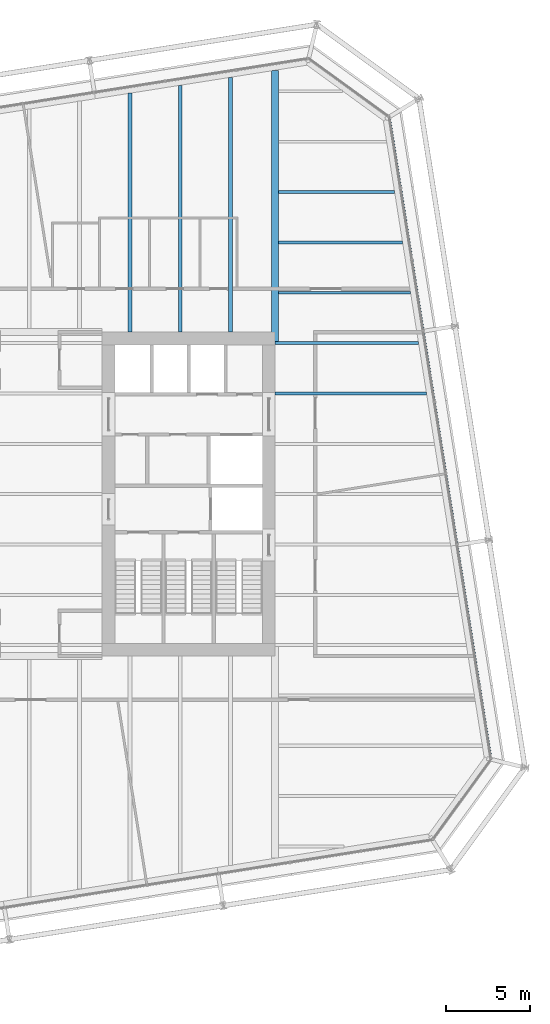
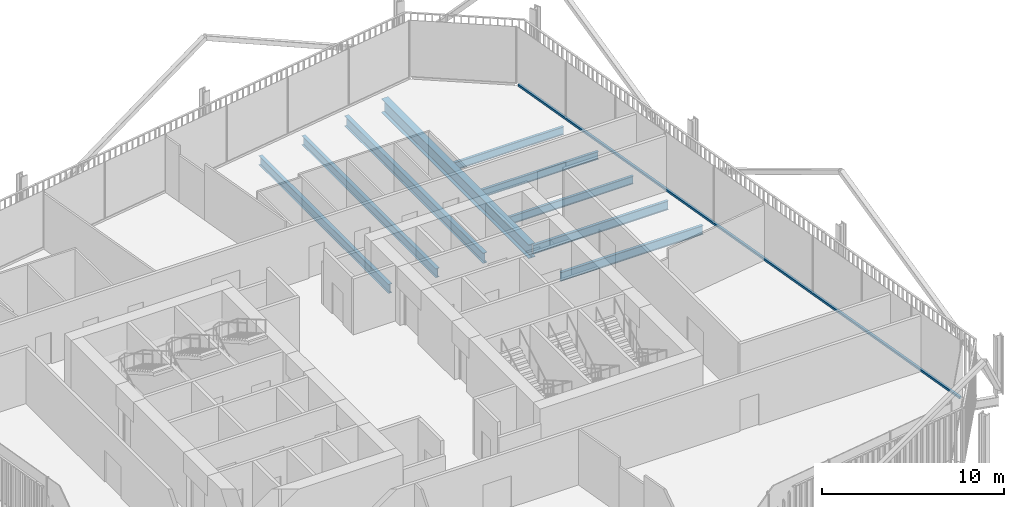
# One storey, part 14 of 22: 9 beams, 1 member, 1 element without a shape of its own.
"""IFC4 building model written with IfcOpenShell, lengths in metres."""

from ifc_helpers import new_model, si_unit, direction, frame, origin, origin_2d, place, context, subcontext, project, spatial, rectangle, i_section, extrude, material, layer, layer_set, material_profile, profile_set, type_object, element, aggregate, save


model = new_model("IFC4")

# Units and contexts
model_context = context("Model", 3, precision=1e-05, world=origin(), true_north=direction((0.0, 1.0)))
body_context = subcontext(model_context, "Body", "Model", "MODEL_VIEW")
ifc_project = project(units=[si_unit("LENGTHUNIT", "METRE"), si_unit("AREAUNIT", "SQUARE_METRE"), si_unit("VOLUMEUNIT", "CUBIC_METRE"), si_unit("PLANEANGLEUNIT", "RADIAN"), si_unit("MASSUNIT", "GRAM", prefix="KILO")], contexts=[model_context])

# Site, building, storey
site_placement = place(None, origin())
site = spatial("IfcSite", under=ifc_project, at=site_placement, CompositionType="ELEMENT")
building_placement = place(site_placement, origin())
building = spatial("IfcBuilding", under=site, at=building_placement, Name="Millrace Tower", CompositionType="ELEMENT")
storey_placement = place(building_placement, frame((0.0, 0.0, 187.800048828125)))
storey = spatial("IfcBuildingStorey", under=building, at=storey_placement, Name="L42", CompositionType="ELEMENT", Elevation=187.800048828125)

# Curtain wall, member
ifc_material_1 = material(Name="Aluminium and glass", Category="aluminium")
ifc_layer = layer(ifc_material_1, 0.14990234375)
ifc_layer_set = layer_set([ifc_layer], Name="Aluminium and glass")
curtain_wall_type = type_object("IfcCurtainWallType", Name="CW-1 office vision curtain wall", PredefinedType="NOTDEFINED", material=ifc_layer_set)
curtain_wall_placement = place(storey_placement, origin())
curtain_wall = element("IfcCurtainWall", 1, at=curtain_wall_placement, inside=storey, type_object=curtain_wall_type, Name="Curtain wall C-F04 L42", PredefinedType="NOTDEFINED")
ifc_material_2 = material(Name="Aluminium", Category="aluminium")
ifc_material_profile_1 = material_profile(ifc_material_2, rectangle(XDim=0.14990234375, YDim=0.139892578125, at=origin_2d()))
ifc_profile_set_1 = profile_set([ifc_material_profile_1], Name="Aluminium")
member_type = type_object("IfcMemberType", Name="CW-1 office vision curtain wall transom", PredefinedType="USERDEFINED", material=ifc_profile_set_1)
member_placement = place(storey_placement, frame((27.49609375, -15.675048828125, 0.070068359375), z_axis=(-0.156434402447, 0.987688350509, 0.0), x_axis=(-0.987688350509, -0.156434402447, 0.0)))
member = element("IfcMember", 2, at=member_placement, type_object=member_type, Name="CW1 transom C-F04.1", ObjectType="TRANSOM", PredefinedType="USERDEFINED", context=body_context, shape_type="SweptSolid", body=[
    extrude(rectangle(XDim=0.14990234375, YDim=0.139892578125, at=origin_2d()), origin(), (0.0, 0.0, 1.0), 38.499755859375),
])
aggregate(curtain_wall, [member])

# Beams
ifc_material_3 = material(Name="Steel ASTM A992 Grade 50", Category="steel")
ifc_material_profile_2 = material_profile(ifc_material_3, i_section(OverallWidth=0.1650390625, OverallDepth=0.52587890625, WebThickness=0.0087890625, FlangeThickness=0.011474609375, FilletRadius=0.0126953125, at=origin_2d()))
ifc_profile_set_2 = profile_set([ifc_material_profile_2], Name="Steel ASTM A992 Grade 50")
beam_type_1 = type_object("IfcBeamType", Name="Floor beam W21x44", PredefinedType="JOIST", material=ifc_profile_set_2)
beam_1_placement = place(storey_placement, frame((14.859619140625, 12.0, -0.4228515625), z_axis=(1.0, 0.0, 0.0), x_axis=(0.0, 1.0, 0.0)))
element("IfcBeam", 3, at=beam_1_placement, inside=storey, type_object=beam_type_1, Name="BM-C-L42-S1-S032", PredefinedType="JOIST", context=body_context, shape_type="SweptSolid", body=[
    extrude(i_section(OverallWidth=0.1650390625, OverallDepth=0.52587890625, WebThickness=0.0087890625, FlangeThickness=0.011474609375, FilletRadius=0.0126953125, at=origin_2d()), origin(), (0.0, 0.0, 1.0), 7.8662109375),
])
beam_2_placement = place(storey_placement, frame((14.859619140625, 15.0, -0.4228515625), z_axis=(1.0, 0.0, 0.0), x_axis=(0.0, 1.0, 0.0)))
element("IfcBeam", 4, at=beam_2_placement, inside=storey, type_object=beam_type_1, Name="BM-C-L42-S1-S034", PredefinedType="JOIST", context=body_context, shape_type="SweptSolid", body=[
    extrude(i_section(OverallWidth=0.1650390625, OverallDepth=0.52587890625, WebThickness=0.0087890625, FlangeThickness=0.011474609375, FilletRadius=0.0126953125, at=origin_2d()), origin(), (0.0, 0.0, 1.0), 7.390869140625),
])
beam_3_placement = place(storey_placement, frame((14.859619140625, 18.0, -0.4228515625), z_axis=(1.0, 0.0, 0.0), x_axis=(0.0, 1.0, 0.0)))
element("IfcBeam", 5, at=beam_3_placement, inside=storey, type_object=beam_type_1, Name="BM-C-L42-S1-S036", PredefinedType="JOIST", context=body_context, shape_type="SweptSolid", body=[
    extrude(i_section(OverallWidth=0.1650390625, OverallDepth=0.52587890625, WebThickness=0.0087890625, FlangeThickness=0.011474609375, FilletRadius=0.0126953125, at=origin_2d()), origin(), (0.0, 0.0, 1.0), 6.915771484375),
])
ifc_material_4 = material(Name="Steel ASTM A992 Grade 50", Category="steel")
ifc_material_profile_3 = material_profile(ifc_material_4, i_section(OverallWidth=0.177978515625, OverallDepth=0.599365234375, WebThickness=0.010009765625, FlangeThickness=0.012939453125, FilletRadius=0.012939453125, at=origin_2d()))
ifc_profile_set_3 = profile_set([ifc_material_profile_3], Name="Steel ASTM A992 Grade 50")
beam_type_2 = type_object("IfcBeamType", Name="Floor beam W24x55", PredefinedType="JOIST", material=ifc_profile_set_3)
beam_4_placement = place(storey_placement, frame((14.64990234375, 6.0, -0.459716796875), z_axis=(1.0, 0.0, 0.0), x_axis=(0.0, 1.0, 0.0)))
element("IfcBeam", 6, at=beam_4_placement, inside=storey, type_object=beam_type_2, Name="BM-C-L42-S1-S027", PredefinedType="JOIST", context=body_context, shape_type="SweptSolid", body=[
    extrude(i_section(OverallWidth=0.177978515625, OverallDepth=0.599365234375, WebThickness=0.010009765625, FlangeThickness=0.012939453125, FilletRadius=0.012939453125, at=origin_2d()), origin(), (0.0, 0.0, 1.0), 9.026123046875),
])
beam_5_placement = place(storey_placement, frame((14.64990234375, 9.0, -0.459716796875), z_axis=(1.0, 0.0, 0.0), x_axis=(0.0, 1.0, 0.0)))
element("IfcBeam", 7, at=beam_5_placement, inside=storey, type_object=beam_type_2, Name="BM-C-L42-S1-S030", PredefinedType="JOIST", context=body_context, shape_type="SweptSolid", body=[
    extrude(i_section(OverallWidth=0.177978515625, OverallDepth=0.599365234375, WebThickness=0.010009765625, FlangeThickness=0.012939453125, FilletRadius=0.012939453125, at=origin_2d()), origin(), (0.0, 0.0, 1.0), 8.551025390625),
])
ifc_material_5 = material(Name="Steel ASTM A992 Grade 50", Category="steel")
ifc_material_profile_4 = material_profile(ifc_material_5, i_section(OverallWidth=0.228271484375, OverallDepth=0.607177734375, WebThickness=0.01123046875, FlangeThickness=0.017333984375, FilletRadius=0.0126953125, at=origin_2d()))
ifc_profile_set_4 = profile_set([ifc_material_profile_4], Name="Steel ASTM A992 Grade 50")
beam_type_3 = type_object("IfcBeamType", Name="Floor beam W24x76", PredefinedType="JOIST", material=ifc_profile_set_4)
beam_6_placement = place(storey_placement, frame((6.0, 9.64990234375, -0.463623046875), z_axis=(0.0, 1.0, 0.0), x_axis=(-1.0, 0.0, 0.0)))
element("IfcBeam", 8, at=beam_6_placement, inside=storey, type_object=beam_type_3, Name="BM-C-L42-S1-S051", PredefinedType="JOIST", context=body_context, shape_type="SweptSolid", body=[
    extrude(i_section(OverallWidth=0.228271484375, OverallDepth=0.607177734375, WebThickness=0.01123046875, FlangeThickness=0.017333984375, FilletRadius=0.0126953125, at=origin_2d()), origin(), (0.0, 0.0, 1.0), 14.2421875),
])
beam_7_placement = place(storey_placement, frame((9.0, 9.64990234375, -0.463623046875), z_axis=(0.0, 1.0, 0.0), x_axis=(-1.0, 0.0, 0.0)))
element("IfcBeam", 9, at=beam_7_placement, inside=storey, type_object=beam_type_3, Name="BM-C-L42-S1-S053", PredefinedType="JOIST", context=body_context, shape_type="SweptSolid", body=[
    extrude(i_section(OverallWidth=0.228271484375, OverallDepth=0.607177734375, WebThickness=0.01123046875, FlangeThickness=0.017333984375, FilletRadius=0.0126953125, at=origin_2d()), origin(), (0.0, 0.0, 1.0), 14.71728515625),
])
ifc_material_6 = material(Name="Steel ASTM A992 Grade 50", Category="steel")
ifc_material_profile_5 = material_profile(ifc_material_6, i_section(OverallWidth=0.256591796875, OverallDepth=0.693359375, WebThickness=0.014404296875, FlangeThickness=0.023681640625, FilletRadius=0.01513671875, at=origin_2d()))
ifc_profile_set_5 = profile_set([ifc_material_profile_5], Name="Steel ASTM A992 Grade 50")
beam_type_4 = type_object("IfcBeamType", Name="Floor beam W27x114", PredefinedType="JOIST", material=ifc_profile_set_5)
beam_8_placement = place(storey_placement, frame((12.0, 9.64990234375, -0.5068359375), z_axis=(0.0, 1.0, 0.0), x_axis=(-1.0, 0.0, 0.0)))
element("IfcBeam", 10, at=beam_8_placement, inside=storey, type_object=beam_type_4, Name="BM-C-L42-S1-S055", PredefinedType="JOIST", context=body_context, shape_type="SweptSolid", body=[
    extrude(i_section(OverallWidth=0.256591796875, OverallDepth=0.693359375, WebThickness=0.014404296875, FlangeThickness=0.023681640625, FilletRadius=0.01513671875, at=origin_2d()), origin(), (0.0, 0.0, 1.0), 15.1923828125),
])
ifc_material_7 = material(Name="Steel ASTM A992 Grade 50", Category="steel")
ifc_material_profile_6 = material_profile(ifc_material_7, i_section(OverallWidth=0.419189453125, OverallDepth=0.927001953125, WebThickness=0.019287109375, FlangeThickness=0.031982421875, FilletRadius=0.024169921875, at=origin_2d()))
ifc_profile_set_6 = profile_set([ifc_material_profile_6], Name="Steel ASTM A992 Grade 50")
beam_type_5 = type_object("IfcBeamType", Name="Girder medium span W36x231", PredefinedType="BEAM", material=ifc_profile_set_6)
beam_9_placement = place(storey_placement, frame((14.64990234375, 9.090087890625, -0.62353515625), z_axis=(0.0, 1.0, 0.0), x_axis=(-1.0, 0.0, 0.0)))
element("IfcBeam", 11, at=beam_9_placement, inside=storey, type_object=beam_type_5, Name="BM-C-L42-S1-G059", PredefinedType="BEAM", context=body_context, shape_type="SweptSolid", body=[
    extrude(i_section(OverallWidth=0.419189453125, OverallDepth=0.927001953125, WebThickness=0.019287109375, FlangeThickness=0.031982421875, FilletRadius=0.024169921875, at=origin_2d()), origin(), (0.0, 0.0, 1.0), 16.1640625),
])

save(model, "model.ifc")
